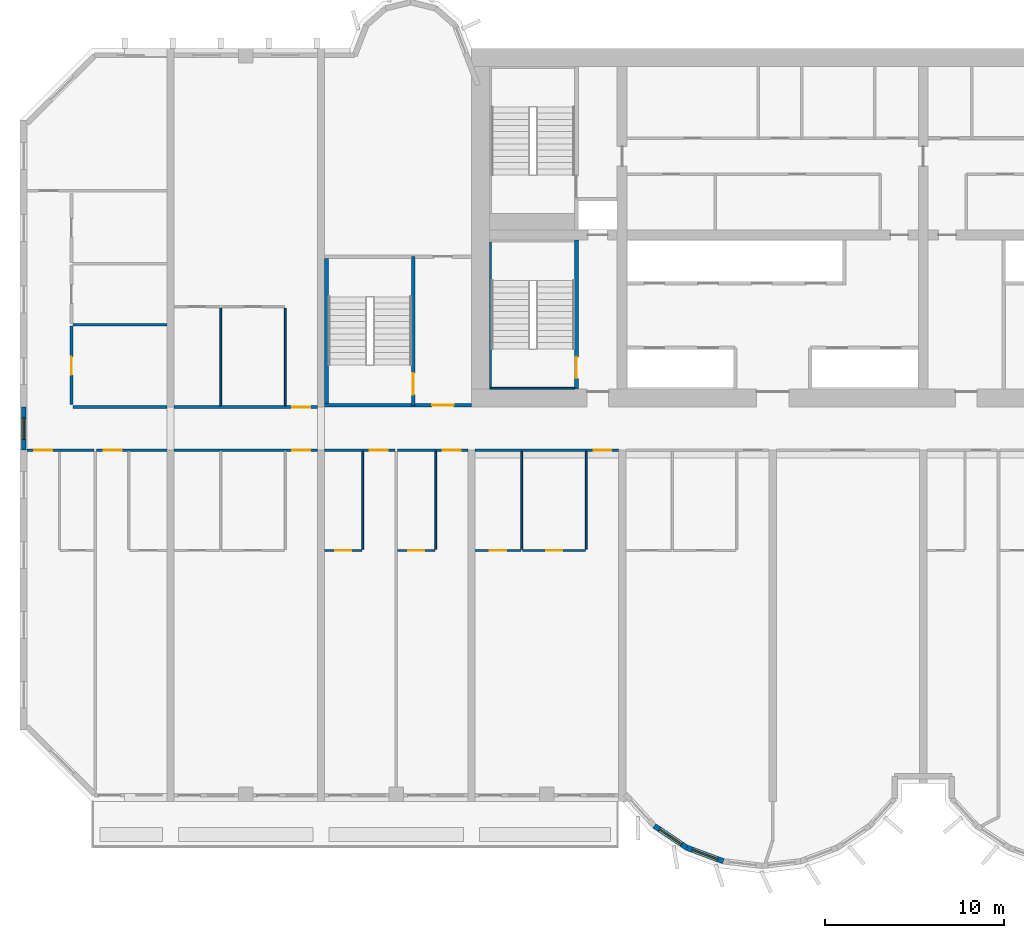
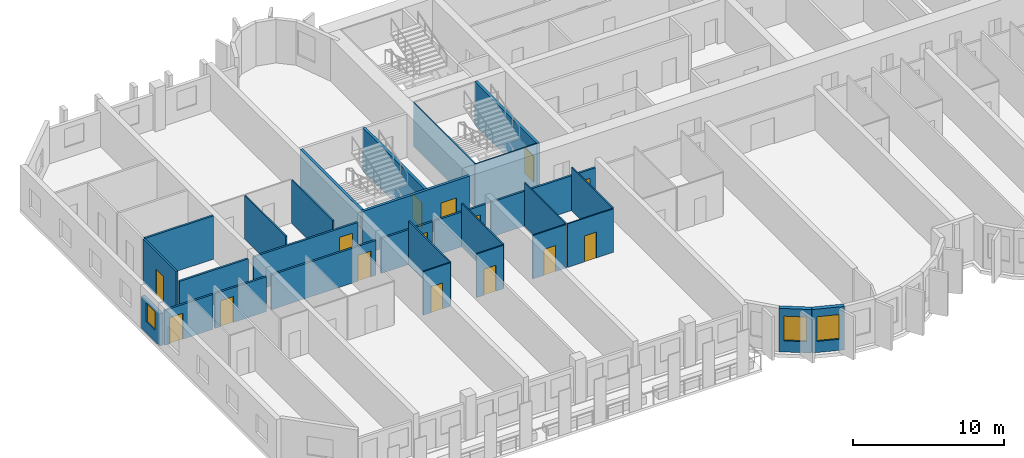
# One storey, part 3 of 14: 29 walls, 15 doors, 3 windows, 18 openings.
"""IFC4 building model written with IfcOpenShell, lengths in metres."""

import ifcopenshell
import ifcopenshell.guid

model = None  # the IFC model being written
_history = None  # IfcOwnerHistory: only IFC2X3 demands one
_inside = {}  # id of a spatial element -> (the spatial element, [elements in it])
_under = {}  # id of a project, library or spatial element -> (it, [spatial elements below it])
_declared = {}  # id of a project -> (the project, [libraries it declares])
_typed = {}  # id of a type object -> (the type object, [elements of that type])
_made_of = {}  # id of a material, layer set ... -> (it, [elements and type objects made of it])


def new_model(schema):
    """Start an empty IFC model of exactly this schema.

    Asked for "IFC4X3", IfcOpenShell would pick the latest addendum, in which some entities
    have other attributes; the version numbers below select the first issue.
    IFC2X3 requires an IfcOwnerHistory on every rooted entity: one is made here for all.
    """
    global model, _history
    if schema == "IFC4X3":
        model = ifcopenshell.file(schema_version=(4, 3, 0, 0))
    else:
        model = ifcopenshell.file(schema=schema)
    _inside.clear()
    _under.clear()
    _declared.clear()
    _typed.clear()
    _made_of.clear()
    _history = None
    if model.schema == "IFC2X3":
        org = make("IfcOrganization", Name="unknown")
        user = make(
            "IfcPersonAndOrganization",
            ThePerson=make("IfcPerson", FamilyName="unknown"),
            TheOrganization=org,
        )
        app = make(
            "IfcApplication",
            ApplicationDeveloper=org,
            Version="unknown",
            ApplicationFullName="unknown",
            ApplicationIdentifier="unknown",
        )
        _history = make(
            "IfcOwnerHistory",
            OwningUser=user,
            OwningApplication=app,
            ChangeAction="ADDED",
            CreationDate=0,
        )
    return model


def make(cls, **values):
    """One entity of the class cls with the attributes given. An attribute that is None is left unset."""
    return model.create_entity(
        cls, **{name: value for name, value in values.items() if value is not None}
    )


def rooted(cls, **values):
    """An entity with a GlobalId (a new one), such as an element, a storey or a relation."""
    return make(cls, GlobalId=ifcopenshell.guid.new(), OwnerHistory=_history, **values)


def si_unit(unit_type, name, prefix=None):
    """IfcSIUnit, for example si_unit("LENGTHUNIT", "METRE", prefix="MILLI")."""
    return make("IfcSIUnit", UnitType=unit_type, Prefix=prefix, Name=name)


def assignment(units):
    """IfcUnitAssignment: the units of a project."""
    return None if units is None else make("IfcUnitAssignment", Units=units)


def point(xyz):
    """IfcCartesianPoint."""
    return None if xyz is None else make("IfcCartesianPoint", Coordinates=xyz)


def direction(xyz):
    """IfcDirection."""
    return None if xyz is None else make("IfcDirection", DirectionRatios=xyz)


def frame(location, z_axis=None, x_axis=None):
    """IfcAxis2Placement3D, a coordinate frame: its origin and axes. An axis left out is left unset."""
    return make(
        "IfcAxis2Placement3D",
        Location=point(location),
        Axis=direction(z_axis),
        RefDirection=direction(x_axis),
    )


def frame_2d(location, x_axis=None):
    """IfcAxis2Placement2D, a coordinate frame in the plane: its origin and x axis."""
    return make(
        "IfcAxis2Placement2D", Location=point(location), RefDirection=direction(x_axis)
    )


def origin():
    """The frame at (0, 0, 0) with its axes left unset."""
    return frame((0.0, 0.0, 0.0))


def place(relative_to, where):
    """IfcLocalPlacement: puts the frame where relative to a parent placement (None: the world)."""
    return make(
        "IfcLocalPlacement", PlacementRelTo=relative_to, RelativePlacement=where
    )


def context(
    kind, dimensions, precision=None, world=None, true_north=None, identifier=None
):
    """IfcGeometricRepresentationContext, for example the 3D "Model" context."""
    return make(
        "IfcGeometricRepresentationContext",
        ContextIdentifier=identifier,
        ContextType=kind,
        CoordinateSpaceDimension=dimensions,
        Precision=precision,
        WorldCoordinateSystem=world,
        TrueNorth=true_north,
    )


def subcontext(parent, identifier, kind, view, scale=None):
    """IfcGeometricRepresentationSubContext, for example "Body" below "Model"."""
    return make(
        "IfcGeometricRepresentationSubContext",
        ContextIdentifier=identifier,
        ContextType=kind,
        ParentContext=parent,
        TargetScale=scale,
        TargetView=view,
    )


def project(units=None, contexts=None):
    """IfcProject with its units and contexts."""
    return rooted(
        "IfcProject",
        Name="project",
        RepresentationContexts=contexts,
        UnitsInContext=assignment(units),
    )


def spatial(cls, under=None, at=None, **own):
    """A site, building, storey or space (cls), placed at a placement, below another one or the project."""
    s = rooted(cls, ObjectPlacement=at, **own)
    if under is not None:
        _under.setdefault(under.id(), (under, []))[1].append(s)
    return s


def profile(cls, at=None, kind="AREA", **sizes):
    """A parametric profile (cls). Its sizes go by their IFC names, for example OverallWidth=200.0."""
    return make(cls, ProfileType=kind, Position=at, **sizes)


def rectangle(**sizes):
    """IfcRectangleProfileDef."""
    return profile("IfcRectangleProfileDef", **sizes)


def extrude(swept, where, along, depth):
    """IfcExtrudedAreaSolid: the profile swept, set in the frame where, extruded along a direction by depth."""
    return make(
        "IfcExtrudedAreaSolid",
        SweptArea=swept,
        Position=where,
        ExtrudedDirection=direction(along),
        Depth=depth,
    )


def shape(context_of_items, identifier, shape_type, items):
    """IfcShapeRepresentation: the items that make up one representation, for example the "Body"."""
    return make(
        "IfcShapeRepresentation",
        ContextOfItems=context_of_items,
        RepresentationIdentifier=identifier,
        RepresentationType=shape_type,
        Items=items,
    )


def source(mapping_origin, context_of_items, identifier, shape_type, items):
    """IfcRepresentationMap: a shape defined once, which mapped items show again and again."""
    return make(
        "IfcRepresentationMap",
        MappingOrigin=mapping_origin,
        MappedRepresentation=shape(context_of_items, identifier, shape_type, items),
    )


def transform(
    local_origin,
    x_axis=None,
    y_axis=None,
    z_axis=None,
    scale=None,
    scale2=None,
    scale3=None,
    uniform=True,
):
    """IfcCartesianTransformationOperator3D, or its non-uniform kind. x_axis, y_axis, z_axis: its Axis1, 2, 3."""
    if uniform:
        return make(
            "IfcCartesianTransformationOperator3D",
            Axis1=direction(x_axis),
            Axis2=direction(y_axis),
            LocalOrigin=point(local_origin),
            Scale=scale,
            Axis3=direction(z_axis),
        )
    return make(
        "IfcCartesianTransformationOperator3DnonUniform",
        Axis1=direction(x_axis),
        Axis2=direction(y_axis),
        LocalOrigin=point(local_origin),
        Scale=scale,
        Axis3=direction(z_axis),
        Scale2=scale2,
        Scale3=scale3,
    )


def mapped(mapping_source, mapping_target):
    """IfcMappedItem: shows the shape of a source again, moved by a transform."""
    return make(
        "IfcMappedItem", MappingSource=mapping_source, MappingTarget=mapping_target
    )


def material(Name=None, Category=None):
    """IfcMaterial."""
    return make("IfcMaterial", Name=Name, Category=Category)


def layer(
    of_material, thickness, ventilated=None, Name=None, Category=None, Priority=None
):
    """IfcMaterialLayer: one layer of a wall or slab, of a material (None: an air gap)."""
    return make(
        "IfcMaterialLayer",
        Material=of_material,
        LayerThickness=thickness,
        IsVentilated=ventilated,
        Name=Name,
        Category=Category,
        Priority=Priority,
    )


def layer_set(layers, Name=None):
    """IfcMaterialLayerSet."""
    return make("IfcMaterialLayerSet", MaterialLayers=layers, LayerSetName=Name)


def made_of(thing, what):
    """Note that an element or type object is made of a material, layer set ...; save() writes the relation."""
    if what is not None:
        _made_of.setdefault(what.id(), (what, []))[1].append(thing)
    return thing


def type_object(cls, material=None, **own):
    """A type object (cls), such as IfcWallType, which elements share."""
    return made_of(rooted(cls, **own), material)


def element(
    cls,
    number,
    at=None,
    inside=None,
    cuts=None,
    type_object=None,
    material=None,
    context=None,
    identifier="Body",
    shape_type=None,
    held_by="IfcProductDefinitionShape",
    body=None,
    shapes=None,
    **own,
):
    """One element of the class cls, such as IfcWall. Its Tag is "e" and its number.

    at: its placement. inside: the storey or other place that contains it. cuts: it is an
    opening in that element (IfcRelVoidsElement). A single representation is given by context,
    identifier, shape_type and body (its items); several are given by shapes. held_by: the class
    of the entity that holds the representations. save() writes the other relations.
    """
    e = rooted(cls, Tag="e%d" % number, ObjectPlacement=at, **own)
    if body is not None:
        shapes = [shape(context, identifier, shape_type, body)]
    if shapes is not None:
        e.Representation = make(held_by, Representations=shapes)
    if inside is not None:
        _inside.setdefault(inside.id(), (inside, []))[1].append(e)
    if cuts is not None:
        rooted(
            "IfcRelVoidsElement", RelatingBuildingElement=cuts, RelatedOpeningElement=e
        )
    if type_object is not None:
        _typed.setdefault(type_object.id(), (type_object, []))[1].append(e)
    return made_of(e, material)


def fill(opening, filler):
    """IfcRelFillsElement: the door or window that sits in an opening."""
    return rooted(
        "IfcRelFillsElement",
        RelatingOpeningElement=opening,
        RelatedBuildingElement=filler,
    )


def aggregate(whole, parts):
    """IfcRelAggregates: a whole, such as a stair, and the parts it consists of."""
    return rooted("IfcRelAggregates", RelatingObject=whole, RelatedObjects=parts)


def save(model, path):
    """Write the relations noted so far, then the file.

    IfcRelAggregates (storeys below a building ...), IfcRelContainedInSpatialStructure (elements
    in a storey), IfcRelDefinesByType, IfcRelAssociatesMaterial and IfcRelDeclares: one each for
    every whole, place, type object, material and project.
    """
    for whole, parts in _under.values():
        aggregate(whole, parts)
    for where, things in _inside.values():
        rooted(
            "IfcRelContainedInSpatialStructure",
            RelatedElements=things,
            RelatingStructure=where,
        )
    for kind, things in _typed.values():
        rooted("IfcRelDefinesByType", RelatedObjects=things, RelatingType=kind)
    for what, things in _made_of.values():
        rooted("IfcRelAssociatesMaterial", RelatedObjects=things, RelatingMaterial=what)
    for by, libraries in _declared.values():
        rooted("IfcRelDeclares", RelatingContext=by, RelatedDefinitions=libraries)
    model.write(path)


model = new_model("IFC4")

# Units and contexts
model_context = context("Model", 3, precision=1e-05, world=origin(), true_north=direction((0.0, 1.0)))
body_context = subcontext(model_context, "Body", "Model", "MODEL_VIEW")
ifc_project = project(units=[si_unit("LENGTHUNIT", "METRE"), si_unit("AREAUNIT", "SQUARE_METRE"), si_unit("VOLUMEUNIT", "CUBIC_METRE"), si_unit("PLANEANGLEUNIT", "RADIAN"), si_unit("MASSUNIT", "GRAM", prefix="KILO")], contexts=[model_context])

# Site, building, storey
site_placement = place(None, origin())
site = spatial("IfcSite", under=ifc_project, at=site_placement, CompositionType="ELEMENT")
building_placement = place(site_placement, origin())
building = spatial("IfcBuilding", under=site, at=building_placement, Name="Vanashikhar Sky Hotel", CompositionType="ELEMENT")
storey_placement = place(building_placement, frame((0.0, 0.0, 58.199951171875)))
storey = spatial("IfcBuildingStorey", under=building, at=storey_placement, Name="L13", CompositionType="ELEMENT", Elevation=58.199951171875)

# Wall, opening, window
ifc_material_1 = material(Name="Concrete M50", Category="concrete")
ifc_layer_1 = layer(ifc_material_1, 0.300048828125)
ifc_layer_set_1 = layer_set([ifc_layer_1], Name="Lobe wall 300")
wall_type_1 = type_object("IfcWallType", Name="Lobe wall 300", PredefinedType="SOLIDWALL", material=ifc_layer_set_1)
shared_shape_1 = source(origin(), body_context, "Body", "SweptSolid", [
    extrude(rectangle(XDim=2.17578125, YDim=0.300048828125, at=frame_2d((1.087890625, 0.0))), origin(), (0.0, 0.0, 1.0), 3.52001953125),
])
wall_1_placement = place(storey_placement, frame((35.395751953125, -1.36865234375, 0.0), z_axis=(0.0, 0.0, 1.0), x_axis=(0.829590746428, -0.558371913192, 0.0)))
wall_1 = element("IfcWall", 1, at=wall_1_placement, inside=storey, type_object=wall_type_1, Name="Lobe wall", PredefinedType="SOLIDWALL", context=body_context, shape_type="MappedRepresentation", body=[
    mapped(shared_shape_1, transform((0.0, 0.0, 0.0), scale=1.0)),
])
shared_shape_2 = source(origin(), body_context, "Body", "SweptSolid", [
    extrude(rectangle(XDim=1.5, YDim=2.0, at=frame_2d((0.75, 1.0))), frame((0.0, 0.16015625, 0.0), z_axis=(0.0, -1.0, 0.0), x_axis=(1.0, 0.0, 0.0)), (0.0, 0.0, 1.0), 0.320068359375),
])
opening_1_placement = place(wall_1_placement, frame((0.337890625, 0.0, 0.89990234375)))
opening_1 = element("IfcOpeningElement", 2, at=opening_1_placement, cuts=wall_1, Name="Opening WN-2", PredefinedType="OPENING", context=body_context, shape_type="MappedRepresentation", body=[
    mapped(shared_shape_2, transform((0.0, 0.0, 0.0), scale=1.0)),
])
ifc_material_2 = material(Name="Glass", Category="glass")
window_type_1 = type_object("IfcWindowType", Name="Lobe window 1500 x 2000", PartitioningType="SINGLE_PANEL", PredefinedType="WINDOW", material=ifc_material_2)
shared_shape_3 = source(origin(), body_context, "Body", "SweptSolid", [
    extrude(rectangle(XDim=1.5, YDim=2.0, at=frame_2d((0.75, 1.0))), frame((0.0, 0.030029296875, 0.0), z_axis=(0.0, -1.0, 0.0), x_axis=(1.0, 0.0, 0.0)), (0.0, 0.0, 1.0), 0.06005859375),
])
window_1_placement = place(opening_1_placement, origin())
window_1 = element("IfcWindow", 3, at=window_1_placement, inside=storey, type_object=window_type_1, Name="Window WN-2", OverallHeight=2.0, OverallWidth=1.5, PartitioningType="SINGLE_PANEL", PredefinedType="WINDOW", context=body_context, shape_type="MappedRepresentation", body=[
    mapped(shared_shape_3, transform((0.0, 0.0, 0.0), scale=1.0)),
])
fill(opening_1, window_1)

wall_2_placement = place(storey_placement, frame((37.20068359375, -2.58349609375, 0.0), z_axis=(0.0, 0.0, 1.0), x_axis=(0.93754555999, -0.347862505801, 0.0)))
wall_2 = element("IfcWall", 4, at=wall_2_placement, inside=storey, type_object=wall_type_1, Name="Lobe wall", PredefinedType="SOLIDWALL", context=body_context, shape_type="MappedRepresentation", body=[
    mapped(shared_shape_1, transform((0.0, 0.0, 0.0), scale=1.0)),
])
opening_2_placement = place(wall_2_placement, frame((0.337890625, 0.0, 0.89990234375)))
opening_2 = element("IfcOpeningElement", 5, at=opening_2_placement, cuts=wall_2, Name="Opening WN-2", PredefinedType="OPENING", context=body_context, shape_type="MappedRepresentation", body=[
    mapped(shared_shape_2, transform((0.0, 0.0, 0.0), scale=1.0)),
])
window_2_placement = place(opening_2_placement, origin())
window_2 = element("IfcWindow", 6, at=window_2_placement, inside=storey, type_object=window_type_1, Name="Window WN-2", OverallHeight=2.0, OverallWidth=1.5, PartitioningType="SINGLE_PANEL", PredefinedType="WINDOW", context=body_context, shape_type="MappedRepresentation", body=[
    mapped(shared_shape_3, transform((0.0, 0.0, 0.0), scale=1.0)),
])
fill(opening_2, window_2)

ifc_layer_2 = layer(ifc_material_1, 0.25)
ifc_layer_set_2 = layer_set([ifc_layer_2], Name="Rear and end board-marked wall 250")
wall_type_2 = type_object("IfcWallType", Name="Rear and end board-marked wall 250", PredefinedType="SOLIDWALL", material=ifc_layer_set_2)
shared_shape_4 = source(origin(), body_context, "Body", "SweptSolid", [
    extrude(rectangle(XDim=2.39990234375, YDim=0.25, at=frame_2d((1.199951171875, 0.0))), origin(), (0.0, 0.0, 1.0), 2.6201171875),
])
wall_3_placement = place(storey_placement, frame((0.199951171875, 19.60009765625, 0.0), z_axis=(0.0, 0.0, 1.0), x_axis=(0.0, 1.0, 0.0)))
wall_3 = element("IfcWall", 7, at=wall_3_placement, inside=storey, type_object=wall_type_2, Name="End corridor infill wall", PredefinedType="SOLIDWALL", context=body_context, shape_type="MappedRepresentation", body=[
    mapped(shared_shape_4, transform((0.0, 0.0, 0.0), scale=1.0)),
])
shared_shape_5 = source(origin(), body_context, "Body", "SweptSolid", [
    extrude(rectangle(XDim=1.199951171875, YDim=1.5, at=frame_2d((0.60009765625, 0.75))), frame((0.0, 0.135009765625, 0.0), z_axis=(0.0, -1.0, 0.0), x_axis=(1.0, 0.0, 0.0)), (0.0, 0.0, 1.0), 0.27001953125),
])
opening_3_placement = place(wall_3_placement, frame((0.60009765625, 0.0, 0.89990234375)))
opening_3 = element("IfcOpeningElement", 8, at=opening_3_placement, cuts=wall_3, Name="Opening WN-3", PredefinedType="OPENING", context=body_context, shape_type="MappedRepresentation", body=[
    mapped(shared_shape_5, transform((0.0, 0.0, 0.0), scale=1.0)),
])
window_type_2 = type_object("IfcWindowType", Name="Corridor end window 1200 x 1500", PartitioningType="SINGLE_PANEL", PredefinedType="WINDOW", material=ifc_material_2)
shared_shape_6 = source(origin(), body_context, "Body", "SweptSolid", [
    extrude(rectangle(XDim=1.199951171875, YDim=1.5, at=frame_2d((0.60009765625, 0.75))), frame((0.0, 0.030029296875, 0.0), z_axis=(0.0, -1.0, 0.0), x_axis=(1.0, 0.0, 0.0)), (0.0, 0.0, 1.0), 0.06005859375),
])
window_3_placement = place(opening_3_placement, origin())
window_3 = element("IfcWindow", 9, at=window_3_placement, inside=storey, type_object=window_type_2, Name="Window WN-3", OverallHeight=1.5, OverallWidth=1.199951171875, PartitioningType="SINGLE_PANEL", PredefinedType="WINDOW", context=body_context, shape_type="MappedRepresentation", body=[
    mapped(shared_shape_6, transform((0.0, 0.0, 0.0), scale=1.0)),
])
fill(opening_3, window_3)

# Wall, opening, door
ifc_layer_3 = layer(ifc_material_1, 0.199951171875)
ifc_layer_set_3 = layer_set([ifc_layer_3], Name="Stair wall 200")
wall_type_3 = type_object("IfcWallType", Name="Stair wall 200", PredefinedType="SOLIDWALL", material=ifc_layer_set_3)
shared_shape_7 = source(origin(), body_context, "Body", "SweptSolid", [
    extrude(rectangle(XDim=8.199951171875, YDim=0.199951171875, at=frame_2d((4.10009765625, 0.0))), origin(), (0.0, 0.0, 1.0), 3.52001953125),
])
wall_4_placement = place(storey_placement, frame((17.0, 22.10009765625, 0.0), z_axis=(0.0, 0.0, 1.0), x_axis=(1.0, 0.0, 0.0)))
wall_4 = element("IfcWall", 10, at=wall_4_placement, inside=storey, type_object=wall_type_3, Name="Stair wall 200", PredefinedType="SOLIDWALL", context=body_context, shape_type="MappedRepresentation", body=[
    mapped(shared_shape_7, transform((0.0, 0.0, 0.0), scale=1.0)),
])
shared_shape_8 = source(origin(), body_context, "Body", "SweptSolid", [
    extrude(rectangle(XDim=1.199951171875, YDim=2.10009765625, at=frame_2d((0.60009765625, 1.050048828125))), frame((0.0, 0.10986328125, 0.0), z_axis=(0.0, -1.0, 0.0), x_axis=(1.0, 0.0, 0.0)), (0.0, 0.0, 1.0), 0.219970703125),
])
opening_4_placement = place(wall_4_placement, frame((6.0, 0.0, 0.0)))
opening_4 = element("IfcOpeningElement", 11, at=opening_4_placement, cuts=wall_4, Name="Opening DC-2", PredefinedType="OPENING", context=body_context, shape_type="MappedRepresentation", body=[
    mapped(shared_shape_8, transform((0.0, 0.0, 0.0), scale=1.0)),
])
ifc_material_3 = material(Name="Steel", Category="steel")
door_type_1 = type_object("IfcDoorType", Name="Firefighting lobby door 1200 FD120", OperationType="NOTDEFINED", PredefinedType="DOOR", material=ifc_material_3)
shared_shape_9 = source(origin(), body_context, "Body", "SweptSolid", [
    extrude(rectangle(XDim=1.199951171875, YDim=2.10009765625, at=frame_2d((0.60009765625, 1.050048828125))), frame((0.0, 0.02490234375, 0.0), z_axis=(0.0, -1.0, 0.0), x_axis=(1.0, 0.0, 0.0)), (0.0, 0.0, 1.0), 0.050048828125),
])
door_1_placement = place(opening_4_placement, origin())
door_1 = element("IfcDoor", 12, at=door_1_placement, inside=storey, type_object=door_type_1, Name="Firefighting lobby door 1200 FD120", OperationType="SINGLE_SWING_RIGHT", OverallHeight=2.10009765625, OverallWidth=1.199951171875, PredefinedType="DOOR", context=body_context, shape_type="MappedRepresentation", body=[
    mapped(shared_shape_9, transform((0.0, 0.0, 0.0), scale=1.0)),
])
fill(opening_4, door_1)

shared_shape_10 = source(origin(), body_context, "Body", "SweptSolid", [
    extrude(rectangle(XDim=8.2998046875, YDim=0.199951171875, at=frame_2d((4.14990234375, 0.0))), origin(), (0.0, 0.0, 1.0), 3.52001953125),
])
wall_5_placement = place(storey_placement, frame((21.949951171875, 22.10009765625, 0.0), z_axis=(0.0, 0.0, 1.0), x_axis=(0.0, 1.0, 0.0)))
wall_5 = element("IfcWall", 13, at=wall_5_placement, inside=storey, type_object=wall_type_3, Name="Stair wall 200", PredefinedType="SOLIDWALL", context=body_context, shape_type="MappedRepresentation", body=[
    mapped(shared_shape_10, transform((0.0, 0.0, 0.0), scale=1.0)),
])
opening_5_placement = place(wall_5_placement, frame((0.60009765625, 0.0, 0.0)))
opening_5 = element("IfcOpeningElement", 14, at=opening_5_placement, cuts=wall_5, Name="Opening DC-1", PredefinedType="OPENING", context=body_context, shape_type="MappedRepresentation", body=[
    mapped(shared_shape_8, transform((0.0, 0.0, 0.0), scale=1.0)),
])
door_type_2 = type_object("IfcDoorType", Name="Stair door 1200 FD120", OperationType="NOTDEFINED", PredefinedType="DOOR", material=ifc_material_3)
door_2_placement = place(opening_5_placement, origin())
door_2 = element("IfcDoor", 15, at=door_2_placement, inside=storey, type_object=door_type_2, Name="Stair door 1200 FD120", OperationType="SINGLE_SWING_LEFT", OverallHeight=2.10009765625, OverallWidth=1.199951171875, PredefinedType="DOOR", context=body_context, shape_type="MappedRepresentation", body=[
    mapped(shared_shape_9, transform((0.0, 0.0, 0.0), scale=1.0)),
])
fill(opening_5, door_2)

# Walls
ifc_layer_4 = layer(ifc_material_1, 0.10009765625)
ifc_layer_set_4 = layer_set([ifc_layer_4], Name="Stair infill wall 100")
wall_type_4 = type_object("IfcWallType", Name="Stair infill wall 100", PredefinedType="SOLIDWALL", material=ifc_layer_set_4)
shared_shape_11 = source(origin(), body_context, "Body", "SweptSolid", [
    extrude(rectangle(XDim=4.75, YDim=0.10009765625, at=frame_2d((2.375, 0.0))), origin(), (0.0, 0.0, 1.0), 3.52001953125),
])
wall_6_placement = place(storey_placement, frame((26.199951171875, 23.050048828125, 0.0), z_axis=(0.0, 0.0, 1.0), x_axis=(1.0, 0.0, 0.0)))
element("IfcWall", 16, at=wall_6_placement, inside=storey, type_object=wall_type_4, Name="Stair infill wall 100", PredefinedType="SOLIDWALL", context=body_context, shape_type="MappedRepresentation", body=[
    mapped(shared_shape_11, transform((0.0, 0.0, 0.0), scale=1.0)),
])
shared_shape_12 = source(origin(), body_context, "Body", "SweptSolid", [
    extrude(rectangle(XDim=8.099853515625, YDim=0.10009765625, at=frame_2d((4.0498046875, 0.0))), origin(), (0.0, 0.0, 1.0), 3.52001953125),
])
wall_7_placement = place(storey_placement, frame((26.25, 23.10009765625, 0.0), z_axis=(0.0, 0.0, 1.0), x_axis=(0.0, 1.0, 0.0)))
element("IfcWall", 17, at=wall_7_placement, inside=storey, type_object=wall_type_4, Name="Stair infill wall 100", PredefinedType="SOLIDWALL", context=body_context, shape_type="MappedRepresentation", body=[
    mapped(shared_shape_12, transform((0.0, 0.0, 0.0), scale=1.0)),
])

# Wall, opening, door
shared_shape_13 = source(origin(), body_context, "Body", "SweptSolid", [
    extrude(rectangle(XDim=8.324951171875, YDim=0.199951171875, at=frame_2d((4.16259765625, 0.0))), origin(), (0.0, 0.0, 1.0), 3.52001953125),
])
wall_8_placement = place(storey_placement, frame((31.050048828125, 23.0, 0.0), z_axis=(0.0, 0.0, 1.0), x_axis=(0.0, 1.0, 0.0)))
wall_8 = element("IfcWall", 18, at=wall_8_placement, inside=storey, type_object=wall_type_3, Name="Stair wall 200", PredefinedType="SOLIDWALL", context=body_context, shape_type="MappedRepresentation", body=[
    mapped(shared_shape_13, transform((0.0, 0.0, 0.0), scale=1.0)),
])
opening_6_placement = place(wall_8_placement, frame((0.60009765625, 0.0, 0.0)))
opening_6 = element("IfcOpeningElement", 19, at=opening_6_placement, cuts=wall_8, Name="Opening DC-1", PredefinedType="OPENING", context=body_context, shape_type="MappedRepresentation", body=[
    mapped(shared_shape_8, transform((0.0, 0.0, 0.0), scale=1.0)),
])
door_3_placement = place(opening_6_placement, origin())
door_3 = element("IfcDoor", 20, at=door_3_placement, inside=storey, type_object=door_type_2, Name="Stair door 1200 FD120", OperationType="SINGLE_SWING_RIGHT", OverallHeight=2.10009765625, OverallWidth=1.199951171875, PredefinedType="DOOR", context=body_context, shape_type="MappedRepresentation", body=[
    mapped(shared_shape_9, transform((0.0, 0.0, 0.0), scale=1.0)),
])
fill(opening_6, door_3)

# Wall
ifc_layer_5 = layer(ifc_material_1, 0.199951171875)
ifc_layer_set_5 = layer_set([ifc_layer_5], Name="Stair infill wall 200")
wall_type_5 = type_object("IfcWallType", Name="Stair infill wall 200", PredefinedType="SOLIDWALL", material=ifc_layer_set_5)
shared_shape_14 = source(origin(), body_context, "Body", "SweptSolid", [
    extrude(rectangle(XDim=8.10009765625, YDim=0.199951171875, at=frame_2d((4.050048828125, 0.0))), origin(), (0.0, 0.0, 1.0), 3.52001953125),
])
wall_9_placement = place(storey_placement, frame((17.10009765625, 22.199951171875, 0.0), z_axis=(0.0, 0.0, 1.0), x_axis=(0.0, 1.0, 0.0)))
element("IfcWall", 21, at=wall_9_placement, inside=storey, type_object=wall_type_5, Name="Stair infill wall 200", PredefinedType="SOLIDWALL", context=body_context, shape_type="MappedRepresentation", body=[
    mapped(shared_shape_14, transform((0.0, 0.0, 0.0), scale=1.0)),
])

# Wall, opening, door
ifc_material_4 = material(Name="Gypsum plasterboard partition")
ifc_layer_6 = layer(ifc_material_4, 0.14990234375)
ifc_layer_set_6 = layer_set([ifc_layer_6], Name="Corridor and demising partition 150")
wall_type_6 = type_object("IfcWallType", Name="Corridor and demising partition 150", PredefinedType="PARTITIONING", material=ifc_layer_set_6)
shared_shape_15 = source(origin(), body_context, "Body", "SweptSolid", [
    extrude(rectangle(XDim=4.375, YDim=0.14990234375, at=frame_2d((2.1875, 0.0))), origin(), (0.0, 0.0, 1.0), 3.52001953125),
])
wall_10_placement = place(storey_placement, frame((2.875, 22.14990234375, 0.0), z_axis=(0.0, 0.0, 1.0), x_axis=(0.0, 1.0, 0.0)))
wall_10 = element("IfcWall", 22, at=wall_10_placement, inside=storey, type_object=wall_type_6, Name="W-L13-PW074", PredefinedType="PARTITIONING", context=body_context, shape_type="MappedRepresentation", body=[
    mapped(shared_shape_15, transform((0.0, 0.0, 0.0), scale=1.0)),
])
shared_shape_16 = source(origin(), body_context, "Body", "SweptSolid", [
    extrude(rectangle(XDim=1.0, YDim=2.10009765625, at=frame_2d((0.5, 1.050048828125))), frame((0.0, 0.0849609375, 0.0), z_axis=(0.0, -1.0, 0.0), x_axis=(1.0, 0.0, 0.0)), (0.0, 0.0, 1.0), 0.169921875),
])
opening_7_placement = place(wall_10_placement, frame((1.64990234375, 0.0, 0.0)))
opening_7 = element("IfcOpeningElement", 23, at=opening_7_placement, cuts=wall_10, Name="Opening D-01", PredefinedType="OPENING", context=body_context, shape_type="MappedRepresentation", body=[
    mapped(shared_shape_16, transform((0.0, 0.0, 0.0), scale=1.0)),
])
ifc_material_5 = material(Name="Timber fire door", Category="wood")
door_type_3 = type_object("IfcDoorType", Name="Guest entry door 1000 FD30S", OperationType="NOTDEFINED", PredefinedType="DOOR", material=ifc_material_5)
shared_shape_17 = source(origin(), body_context, "Body", "SweptSolid", [
    extrude(rectangle(XDim=1.0, YDim=2.10009765625, at=frame_2d((0.5, 1.050048828125))), frame((0.0, 0.02490234375, 0.0), z_axis=(0.0, -1.0, 0.0), x_axis=(1.0, 0.0, 0.0)), (0.0, 0.0, 1.0), 0.050048828125),
])
door_4_placement = place(opening_7_placement, origin())
door_4 = element("IfcDoor", 24, at=door_4_placement, inside=storey, type_object=door_type_3, Name="D-L13-042", OperationType="SINGLE_SWING_LEFT", OverallHeight=2.10009765625, OverallWidth=1.0, PredefinedType="DOOR", context=body_context, shape_type="MappedRepresentation", body=[
    mapped(shared_shape_17, transform((0.0, 0.0, 0.0), scale=1.0)),
])
fill(opening_7, door_4)

ifc_layer_7 = layer(ifc_material_4, 0.10009765625)
ifc_layer_set_7 = layer_set([ifc_layer_7], Name="Wet room partition 100")
wall_type_7 = type_object("IfcWallType", Name="Wet room partition 100", PredefinedType="PARTITIONING", material=ifc_layer_set_7)
shared_shape_18 = source(origin(), body_context, "Body", "SweptSolid", [
    extrude(rectangle(XDim=3.5, YDim=0.10009765625, at=frame_2d((1.75, 0.0))), origin(), (0.0, 0.0, 1.0), 3.52001953125),
])
wall_11_placement = place(storey_placement, frame((28.050048828125, 14.0, 0.0), z_axis=(0.0, 0.0, 1.0), x_axis=(1.0, 0.0, 0.0)))
wall_11 = element("IfcWall", 25, at=wall_11_placement, inside=storey, type_object=wall_type_7, Name="W-L13-PW022", PredefinedType="PARTITIONING", context=body_context, shape_type="MappedRepresentation", body=[
    mapped(shared_shape_18, transform((0.0, 0.0, 0.0), scale=1.0)),
])
shared_shape_19 = source(origin(), body_context, "Body", "SweptSolid", [
    extrude(rectangle(XDim=0.89990234375, YDim=2.10009765625, at=frame_2d((0.449951171875, 1.050048828125))), frame((0.0, 0.06005859375, 0.0), z_axis=(0.0, -1.0, 0.0), x_axis=(1.0, 0.0, 0.0)), (0.0, 0.0, 1.0), 0.1201171875),
])
opening_8_placement = place(wall_11_placement, frame((1.300048828125, 0.0, 0.0)))
opening_8 = element("IfcOpeningElement", 26, at=opening_8_placement, cuts=wall_11, Name="Opening D-02", PredefinedType="OPENING", context=body_context, shape_type="MappedRepresentation", body=[
    mapped(shared_shape_19, transform((0.0, 0.0, 0.0), scale=1.0)),
])
ifc_material_6 = material(Name="Timber door", Category="wood")
door_type_4 = type_object("IfcDoorType", Name="Internal door 900", OperationType="NOTDEFINED", PredefinedType="DOOR", material=ifc_material_6)
shared_shape_20 = source(origin(), body_context, "Body", "SweptSolid", [
    extrude(rectangle(XDim=0.89990234375, YDim=2.10009765625, at=frame_2d((0.449951171875, 1.050048828125))), frame((0.0, 0.02490234375, 0.0), z_axis=(0.0, -1.0, 0.0), x_axis=(1.0, 0.0, 0.0)), (0.0, 0.0, 1.0), 0.050048828125),
])
door_5_placement = place(opening_8_placement, origin())
door_5 = element("IfcDoor", 27, at=door_5_placement, inside=storey, type_object=door_type_4, Name="D-L13-012", OperationType="SINGLE_SWING_RIGHT", OverallHeight=2.10009765625, OverallWidth=0.89990234375, PredefinedType="DOOR", context=body_context, shape_type="MappedRepresentation", body=[
    mapped(shared_shape_20, transform((0.0, 0.0, 0.0), scale=1.0)),
])
fill(opening_8, door_5)

shared_shape_21 = source(origin(), body_context, "Body", "SweptSolid", [
    extrude(rectangle(XDim=2.074951171875, YDim=0.10009765625, at=frame_2d((1.03759765625, 0.0))), origin(), (0.0, 0.0, 1.0), 3.52001953125),
])
wall_12_placement = place(storey_placement, frame((17.0, 14.0, 0.0), z_axis=(0.0, 0.0, 1.0), x_axis=(1.0, 0.0, 0.0)))
wall_12 = element("IfcWall", 28, at=wall_12_placement, inside=storey, type_object=wall_type_7, Name="W-L13-PW014", PredefinedType="PARTITIONING", context=body_context, shape_type="MappedRepresentation", body=[
    mapped(shared_shape_21, transform((0.0, 0.0, 0.0), scale=1.0)),
])
opening_9_placement = place(wall_12_placement, frame((0.587890625, 0.0, 0.0)))
opening_9 = element("IfcOpeningElement", 29, at=opening_9_placement, cuts=wall_12, Name="Opening D-02", PredefinedType="OPENING", context=body_context, shape_type="MappedRepresentation", body=[
    mapped(shared_shape_19, transform((0.0, 0.0, 0.0), scale=1.0)),
])
door_6_placement = place(opening_9_placement, origin())
door_6 = element("IfcDoor", 30, at=door_6_placement, inside=storey, type_object=door_type_4, Name="D-L13-008", OperationType="SINGLE_SWING_RIGHT", OverallHeight=2.10009765625, OverallWidth=0.89990234375, PredefinedType="DOOR", context=body_context, shape_type="MappedRepresentation", body=[
    mapped(shared_shape_20, transform((0.0, 0.0, 0.0), scale=1.0)),
])
fill(opening_9, door_6)

wall_13_placement = place(storey_placement, frame((21.074951171875, 14.0, 0.0), z_axis=(0.0, 0.0, 1.0), x_axis=(1.0, 0.0, 0.0)))
wall_13 = element("IfcWall", 31, at=wall_13_placement, inside=storey, type_object=wall_type_7, Name="W-L13-PW017", PredefinedType="PARTITIONING", context=body_context, shape_type="MappedRepresentation", body=[
    mapped(shared_shape_21, transform((0.0, 0.0, 0.0), scale=1.0)),
])
opening_10_placement = place(wall_13_placement, frame((0.5869140625, 0.0, 0.0)))
opening_10 = element("IfcOpeningElement", 32, at=opening_10_placement, cuts=wall_13, Name="Opening D-02", PredefinedType="OPENING", context=body_context, shape_type="MappedRepresentation", body=[
    mapped(shared_shape_19, transform((0.0, 0.0, 0.0), scale=1.0)),
])
door_7_placement = place(opening_10_placement, origin())
door_7 = element("IfcDoor", 33, at=door_7_placement, inside=storey, type_object=door_type_4, Name="D-L13-010", OperationType="SINGLE_SWING_RIGHT", OverallHeight=2.10009765625, OverallWidth=0.89990234375, PredefinedType="DOOR", context=body_context, shape_type="MappedRepresentation", body=[
    mapped(shared_shape_20, transform((0.0, 0.0, 0.0), scale=1.0)),
])
fill(opening_10, door_7)

shared_shape_22 = source(origin(), body_context, "Body", "SweptSolid", [
    extrude(rectangle(XDim=3.925048828125, YDim=0.14990234375, at=frame_2d((1.96240234375, 0.0))), origin(), (0.0, 0.0, 1.0), 2.820068359375),
])
wall_14_placement = place(storey_placement, frame((4.27490234375, 19.60009765625, 0.0), z_axis=(0.0, 0.0, 1.0), x_axis=(1.0, 0.0, 0.0)))
wall_14 = element("IfcWall", 34, at=wall_14_placement, inside=storey, type_object=wall_type_6, Name="W-L13-PW006", PredefinedType="PARTITIONING", context=body_context, shape_type="MappedRepresentation", body=[
    mapped(shared_shape_22, transform((0.0, 0.0, 0.0), scale=1.0)),
])
opening_11_placement = place(wall_14_placement, frame((0.39990234375, 0.0, 0.0)))
opening_11 = element("IfcOpeningElement", 35, at=opening_11_placement, cuts=wall_14, Name="Opening D-01", PredefinedType="OPENING", context=body_context, shape_type="MappedRepresentation", body=[
    mapped(shared_shape_16, transform((0.0, 0.0, 0.0), scale=1.0)),
])
door_8_placement = place(opening_11_placement, origin())
door_8 = element("IfcDoor", 36, at=door_8_placement, inside=storey, type_object=door_type_3, Name="D-L13-004", OperationType="SINGLE_SWING_LEFT", OverallHeight=2.10009765625, OverallWidth=1.0, PredefinedType="DOOR", context=body_context, shape_type="MappedRepresentation", body=[
    mapped(shared_shape_17, transform((0.0, 0.0, 0.0), scale=1.0)),
])
fill(opening_11, door_8)

wall_15_placement = place(storey_placement, frame((17.0, 19.60009765625, 0.0), z_axis=(0.0, 0.0, 1.0), x_axis=(1.0, 0.0, 0.0)))
wall_15 = element("IfcWall", 37, at=wall_15_placement, inside=storey, type_object=wall_type_6, Name="W-L13-PW015", PredefinedType="PARTITIONING", context=body_context, shape_type="MappedRepresentation", body=[
    mapped(shared_shape_22, transform((0.0, 0.0, 0.0), scale=1.0)),
])
opening_12_placement = place(wall_15_placement, frame((2.52490234375, 0.0, 0.0)))
opening_12 = element("IfcOpeningElement", 38, at=opening_12_placement, cuts=wall_15, Name="Opening D-01", PredefinedType="OPENING", context=body_context, shape_type="MappedRepresentation", body=[
    mapped(shared_shape_16, transform((0.0, 0.0, 0.0), scale=1.0)),
])
door_9_placement = place(opening_12_placement, origin())
door_9 = element("IfcDoor", 39, at=door_9_placement, inside=storey, type_object=door_type_3, Name="D-L13-009", OperationType="SINGLE_SWING_RIGHT", OverallHeight=2.10009765625, OverallWidth=1.0, PredefinedType="DOOR", context=body_context, shape_type="MappedRepresentation", body=[
    mapped(shared_shape_17, transform((0.0, 0.0, 0.0), scale=1.0)),
])
fill(opening_12, door_9)

wall_16_placement = place(storey_placement, frame((21.074951171875, 19.60009765625, 0.0), z_axis=(0.0, 0.0, 1.0), x_axis=(1.0, 0.0, 0.0)))
wall_16 = element("IfcWall", 40, at=wall_16_placement, inside=storey, type_object=wall_type_6, Name="W-L13-PW018", PredefinedType="PARTITIONING", context=body_context, shape_type="MappedRepresentation", body=[
    mapped(shared_shape_22, transform((0.0, 0.0, 0.0), scale=1.0)),
])
opening_13_placement = place(wall_16_placement, frame((2.52490234375, 0.0, 0.0)))
opening_13 = element("IfcOpeningElement", 41, at=opening_13_placement, cuts=wall_16, Name="Opening D-01", PredefinedType="OPENING", context=body_context, shape_type="MappedRepresentation", body=[
    mapped(shared_shape_16, transform((0.0, 0.0, 0.0), scale=1.0)),
])
door_10_placement = place(opening_13_placement, origin())
door_10 = element("IfcDoor", 42, at=door_10_placement, inside=storey, type_object=door_type_3, Name="D-L13-011", OperationType="SINGLE_SWING_RIGHT", OverallHeight=2.10009765625, OverallWidth=1.0, PredefinedType="DOOR", context=body_context, shape_type="MappedRepresentation", body=[
    mapped(shared_shape_17, transform((0.0, 0.0, 0.0), scale=1.0)),
])
fill(opening_13, door_10)

shared_shape_23 = source(origin(), body_context, "Body", "SweptSolid", [
    extrude(rectangle(XDim=2.550048828125, YDim=0.10009765625, at=frame_2d((1.27490234375, 0.0))), origin(), (0.0, 0.0, 1.0), 3.52001953125),
])
wall_17_placement = place(storey_placement, frame((25.39990234375, 14.0, 0.0), z_axis=(0.0, 0.0, 1.0), x_axis=(1.0, 0.0, 0.0)))
wall_17 = element("IfcWall", 43, at=wall_17_placement, inside=storey, type_object=wall_type_7, Name="W-L13-PW023", PredefinedType="PARTITIONING", context=body_context, shape_type="MappedRepresentation", body=[
    mapped(shared_shape_23, transform((0.0, 0.0, 0.0), scale=1.0)),
])
opening_14_placement = place(wall_17_placement, frame((0.824951171875, 0.0, 0.0)))
opening_14 = element("IfcOpeningElement", 44, at=opening_14_placement, cuts=wall_17, Name="Opening D-02", PredefinedType="OPENING", context=body_context, shape_type="MappedRepresentation", body=[
    mapped(shared_shape_19, transform((0.0, 0.0, 0.0), scale=1.0)),
])
door_11_placement = place(opening_14_placement, origin())
door_11 = element("IfcDoor", 45, at=door_11_placement, inside=storey, type_object=door_type_4, Name="D-L13-013", OperationType="SINGLE_SWING_RIGHT", OverallHeight=2.10009765625, OverallWidth=0.89990234375, PredefinedType="DOOR", context=body_context, shape_type="MappedRepresentation", body=[
    mapped(shared_shape_20, transform((0.0, 0.0, 0.0), scale=1.0)),
])
fill(opening_14, door_11)

shared_shape_24 = source(origin(), body_context, "Body", "SweptSolid", [
    extrude(rectangle(XDim=8.0, YDim=0.14990234375, at=frame_2d((4.0, 0.0))), origin(), (0.0, 0.0, 1.0), 2.820068359375),
])
wall_18_placement = place(storey_placement, frame((8.60009765625, 19.60009765625, 0.0), z_axis=(0.0, 0.0, 1.0), x_axis=(1.0, 0.0, 0.0)))
wall_18 = element("IfcWall", 46, at=wall_18_placement, inside=storey, type_object=wall_type_6, Name="W-L13-PW012", PredefinedType="PARTITIONING", context=body_context, shape_type="MappedRepresentation", body=[
    mapped(shared_shape_24, transform((0.0, 0.0, 0.0), scale=1.0)),
])
opening_15_placement = place(wall_18_placement, frame((6.60009765625, 0.0, 0.0)))
opening_15 = element("IfcOpeningElement", 47, at=opening_15_placement, cuts=wall_18, Name="Opening D-01", PredefinedType="OPENING", context=body_context, shape_type="MappedRepresentation", body=[
    mapped(shared_shape_16, transform((0.0, 0.0, 0.0), scale=1.0)),
])
door_12_placement = place(opening_15_placement, origin())
door_12 = element("IfcDoor", 48, at=door_12_placement, inside=storey, type_object=door_type_3, Name="D-L13-007", OperationType="SINGLE_SWING_RIGHT", OverallHeight=2.10009765625, OverallWidth=1.0, PredefinedType="DOOR", context=body_context, shape_type="MappedRepresentation", body=[
    mapped(shared_shape_17, transform((0.0, 0.0, 0.0), scale=1.0)),
])
fill(opening_15, door_12)

wall_19_placement = place(storey_placement, frame((25.39990234375, 19.60009765625, 0.0), z_axis=(0.0, 0.0, 1.0), x_axis=(1.0, 0.0, 0.0)))
wall_19 = element("IfcWall", 49, at=wall_19_placement, inside=storey, type_object=wall_type_6, Name="W-L13-PW024", PredefinedType="PARTITIONING", context=body_context, shape_type="MappedRepresentation", body=[
    mapped(shared_shape_24, transform((0.0, 0.0, 0.0), scale=1.0)),
])
opening_16_placement = place(wall_19_placement, frame((6.60009765625, 0.0, 0.0)))
opening_16 = element("IfcOpeningElement", 50, at=opening_16_placement, cuts=wall_19, Name="Opening D-01", PredefinedType="OPENING", context=body_context, shape_type="MappedRepresentation", body=[
    mapped(shared_shape_16, transform((0.0, 0.0, 0.0), scale=1.0)),
])
door_13_placement = place(opening_16_placement, origin())
door_13 = element("IfcDoor", 51, at=door_13_placement, inside=storey, type_object=door_type_3, Name="D-L13-014", OperationType="SINGLE_SWING_RIGHT", OverallHeight=2.10009765625, OverallWidth=1.0, PredefinedType="DOOR", context=body_context, shape_type="MappedRepresentation", body=[
    mapped(shared_shape_17, transform((0.0, 0.0, 0.0), scale=1.0)),
])
fill(opening_16, door_13)

wall_20_placement = place(storey_placement, frame((8.60009765625, 22.0, 0.0), z_axis=(0.0, 0.0, 1.0), x_axis=(1.0, 0.0, 0.0)))
wall_20 = element("IfcWall", 52, at=wall_20_placement, inside=storey, type_object=wall_type_6, Name="W-L13-PW084", PredefinedType="PARTITIONING", context=body_context, shape_type="MappedRepresentation", body=[
    mapped(shared_shape_24, transform((0.0, 0.0, 0.0), scale=1.0)),
])
opening_17_placement = place(wall_20_placement, frame((6.60009765625, 0.0, 0.0)))
opening_17 = element("IfcOpeningElement", 53, at=opening_17_placement, cuts=wall_20, Name="Opening D-01", PredefinedType="OPENING", context=body_context, shape_type="MappedRepresentation", body=[
    mapped(shared_shape_16, transform((0.0, 0.0, 0.0), scale=1.0)),
])
door_14_placement = place(opening_17_placement, origin())
door_14 = element("IfcDoor", 54, at=door_14_placement, inside=storey, type_object=door_type_3, Name="D-L13-048", OperationType="SINGLE_SWING_RIGHT", OverallHeight=2.10009765625, OverallWidth=1.0, PredefinedType="DOOR", context=body_context, shape_type="MappedRepresentation", body=[
    mapped(shared_shape_17, transform((0.0, 0.0, 0.0), scale=1.0)),
])
fill(opening_17, door_14)

# Walls
shared_shape_25 = source(origin(), body_context, "Body", "SweptSolid", [
    extrude(rectangle(XDim=5.25, YDim=0.14990234375, at=frame_2d((2.625, 0.0))), origin(), (0.0, 0.0, 1.0), 2.820068359375),
])
wall_21_placement = place(storey_placement, frame((2.949951171875, 22.0, 0.0), z_axis=(0.0, 0.0, 1.0), x_axis=(1.0, 0.0, 0.0)))
element("IfcWall", 55, at=wall_21_placement, inside=storey, type_object=wall_type_6, Name="W-L13-PW073", PredefinedType="PARTITIONING", context=body_context, shape_type="MappedRepresentation", body=[
    mapped(shared_shape_25, transform((0.0, 0.0, 0.0), scale=1.0)),
])
shared_shape_26 = source(origin(), body_context, "Body", "SweptSolid", [
    extrude(rectangle(XDim=5.25, YDim=0.14990234375, at=frame_2d((2.625, 0.0))), origin(), (0.0, 0.0, 1.0), 3.52001953125),
])
wall_22_placement = place(storey_placement, frame((2.949951171875, 26.60009765625, 0.0), z_axis=(0.0, 0.0, 1.0), x_axis=(1.0, 0.0, 0.0)))
element("IfcWall", 56, at=wall_22_placement, inside=storey, type_object=wall_type_6, Name="W-L13-PW075", PredefinedType="PARTITIONING", context=body_context, shape_type="MappedRepresentation", body=[
    mapped(shared_shape_26, transform((0.0, 0.0, 0.0), scale=1.0)),
])
shared_shape_27 = source(origin(), body_context, "Body", "SweptSolid", [
    extrude(rectangle(XDim=5.449951171875, YDim=0.10009765625, at=frame_2d((2.72509765625, 0.0))), origin(), (0.0, 0.0, 1.0), 3.52001953125),
])
for number, where, z_axis, x_axis, name in (
    (57, (19.125, 14.074951171875, 0.0), (0.0, 0.0, 1.0), (0.0, 1.0, 0.0), "W-L13-PW013"),
    (58, (23.199951171875, 14.074951171875, 0.0), (0.0, 0.0, 1.0), (0.0, 1.0, 0.0), "W-L13-PW016"),
    (59, (31.60009765625, 14.074951171875, 0.0), (0.0, 0.0, 1.0), (0.0, 1.0, 0.0), "W-L13-PW020"),
    (60, (28.0, 14.074951171875, 0.0), (0.0, 0.0, 1.0), (0.0, 1.0, 0.0), "W-L13-PW021"),
    (61, (14.800048828125, 22.074951171875, 0.0), (0.0, 0.0, 1.0), (0.0, 1.0, 0.0), "W-L13-PW080"),
    (62, (11.199951171875, 22.074951171875, 0.0), (0.0, 0.0, 1.0), (0.0, 1.0, 0.0), "W-L13-PW081"),
):
    element("IfcWall", number, at=place(storey_placement, frame(where, z_axis=z_axis, x_axis=x_axis)), inside=storey, type_object=wall_type_7, Name=name, PredefinedType="PARTITIONING", context=body_context, shape_type="MappedRepresentation", body=[
        mapped(shared_shape_27, transform((0.0, 0.0, 0.0), scale=1.0)),
    ])

# Wall, opening, door
shared_shape_28 = source(origin(), body_context, "Body", "SweptSolid", [
    extrude(rectangle(XDim=3.72509765625, YDim=0.14990234375, at=frame_2d((1.862548828125, 0.0))), origin(), (0.0, 0.0, 1.0), 2.820068359375),
])
wall_23_placement = place(storey_placement, frame((0.39990234375, 19.60009765625, 0.0), z_axis=(0.0, 0.0, 1.0), x_axis=(1.0, 0.0, 0.0)))
wall_23 = element("IfcWall", 63, at=wall_23_placement, inside=storey, type_object=wall_type_6, Name="W-L13-PW003", PredefinedType="PARTITIONING", context=body_context, shape_type="MappedRepresentation", body=[
    mapped(shared_shape_28, transform((0.0, 0.0, 0.0), scale=1.0)),
])
opening_18_placement = place(wall_23_placement, frame((0.39990234375, 0.0, 0.0)))
opening_18 = element("IfcOpeningElement", 64, at=opening_18_placement, cuts=wall_23, Name="Opening D-01", PredefinedType="OPENING", context=body_context, shape_type="MappedRepresentation", body=[
    mapped(shared_shape_16, transform((0.0, 0.0, 0.0), scale=1.0)),
])
door_15_placement = place(opening_18_placement, origin())
door_15 = element("IfcDoor", 65, at=door_15_placement, inside=storey, type_object=door_type_3, Name="D-L13-002", OperationType="SINGLE_SWING_LEFT", OverallHeight=2.10009765625, OverallWidth=1.0, PredefinedType="DOOR", context=body_context, shape_type="MappedRepresentation", body=[
    mapped(shared_shape_17, transform((0.0, 0.0, 0.0), scale=1.0)),
])
fill(opening_18, door_15)

save(model, "model.ifc")
